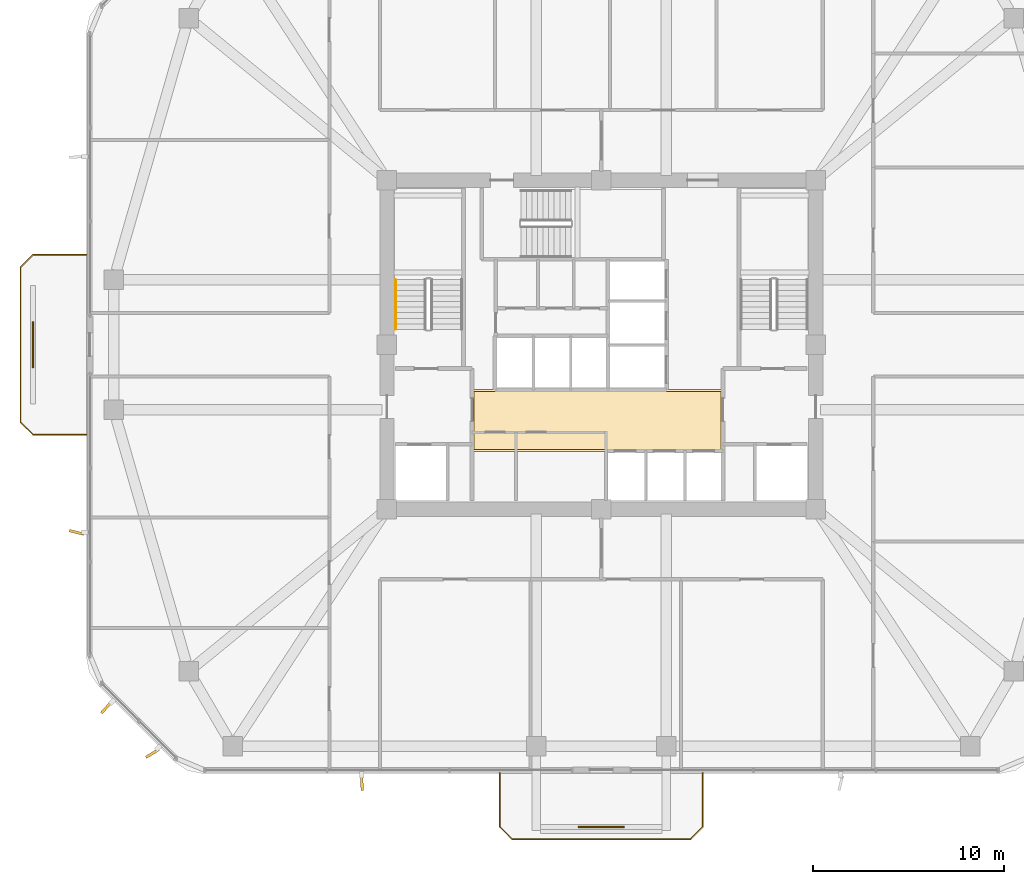
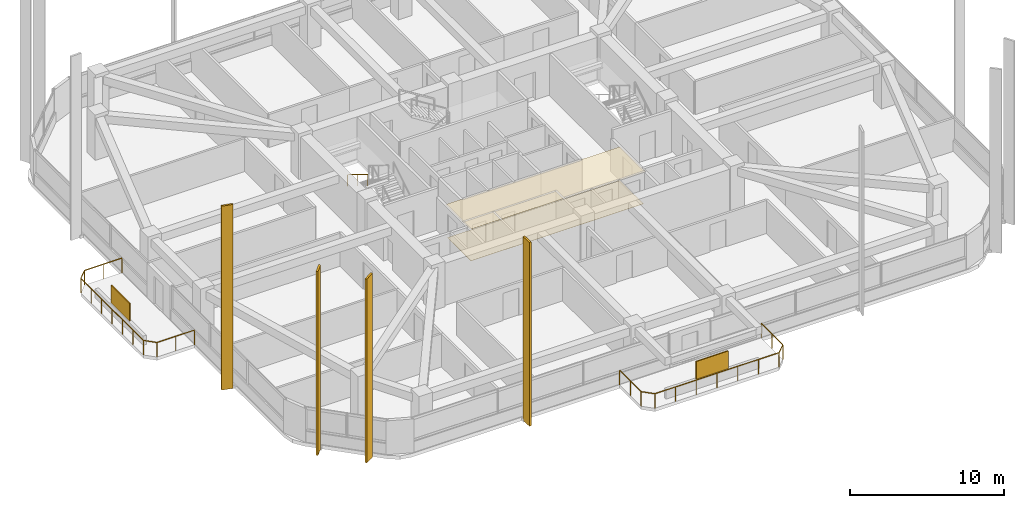
# One storey, part 12 of 15: 6 shading devices, 3 railings, 2 coverings.
"""IFC4 building model written with IfcOpenShell, lengths in metres."""

from ifc_helpers import new_model, si_unit, derived_unit, direction, frame, origin, origin_2d, place, context, subcontext, project, spatial, polyline, rectangle, outline, extrude, material, layer, layer_set, type_object, element, save


model = new_model("IFC4")

# Units and contexts
model_context = context("Model", 3, precision=1e-05, world=origin(), true_north=direction((0.0, 1.0)))
body_context = subcontext(model_context, "Body", "Model", "MODEL_VIEW")
ifc_project = project(units=[si_unit("LENGTHUNIT", "METRE"), si_unit("AREAUNIT", "SQUARE_METRE"), si_unit("VOLUMEUNIT", "CUBIC_METRE"), si_unit("PLANEANGLEUNIT", "RADIAN"), si_unit("MASSUNIT", "GRAM", prefix="KILO"), derived_unit("THERMALTRANSMITTANCEUNIT", [(si_unit("POWERUNIT", "WATT"), 1), (si_unit("LENGTHUNIT", "METRE"), -2), (si_unit("THERMODYNAMICTEMPERATUREUNIT", "KELVIN"), -1)])], contexts=[model_context])

# Site, building, storey
site_placement = place(None, origin())
site = spatial("IfcSite", under=ifc_project, at=site_placement, CompositionType="ELEMENT")
building_placement = place(site_placement, origin())
building = spatial("IfcBuilding", under=site, at=building_placement, Name="Koralith Skygarden Medical Center", CompositionType="ELEMENT")
storey_placement = place(building_placement, frame((0.0, 0.0, 84.780029296875)))
storey = spatial("IfcBuildingStorey", under=building, at=storey_placement, Name="L21", CompositionType="ELEMENT", Elevation=84.780029296875)

# Covering
ifc_material_1 = material(Name="Acoustic Mineral Tile")
ifc_layer_1 = layer(ifc_material_1, 0.02001953125)
ifc_layer_set_1 = layer_set([ifc_layer_1], Name="Acoustic Mineral Tile")
covering_type_1 = type_object("IfcCoveringType", Name="Acoustic Hygienic Mineral Ceiling 20", PredefinedType="CEILING", material=ifc_layer_set_1)
covering_1_placement = place(storey_placement, frame((0.0, 0.0, 2.5849609375)))
element("IfcCovering", 1, at=covering_1_placement, inside=storey, type_object=covering_type_1, Name="L21 Core Lobby Acoustic Ceiling", PredefinedType="CEILING", context=body_context, shape_type="SweptSolid", body=[
    extrude(outline(polyline([(30.25, 20.320068359375), (43.35009765625, 20.320068359375), (43.35009765625, 23.56005859375), (30.25, 23.56005859375), (30.25, 20.320068359375)])), origin(), (0.0, 0.0, 1.0), 0.02001953125),
])

# Shading devices
ifc_material_2 = material(Name="Aluminium 6063-T6", Category="aluminium")
shading_device_type_1 = type_object("IfcShadingDeviceType", Name="Limestone-Clad Solar Storm Fin 780", PredefinedType="USERDEFINED", material=ifc_material_2)
for number, where, z_axis, x_axis, name in (
    (2, (24.489990234375, 2.989990234375, -0.2001953125), (0.0, 0.0, 1.0), (0.044142481788, -0.999025245578, 0.0), "L21 S Harmonic Solar Storm Fin 1"),
    (3, (9.590087890625, 16.090087890625, -0.2001953125), (0.0, 0.0, 1.0), (-0.971271504235, 0.237974084853, 0.0), "L21 W Harmonic Solar Storm Fin 2"),
    (4, (11.139892578125, 6.93798828125, -0.2001953125), (0.0, 0.0, 1.0), (-0.675204077514, -0.737630973935, 0.0), "L21 SW Harmonic Solar Storm Fin 1"),
    (5, (13.5380859375, 4.5400390625, -0.2001953125), (0.0, 0.0, 1.0), (-0.855065756164, -0.518519577871, 0.0), "L21 SW Harmonic Solar Storm Fin 2"),
):
    element("IfcShadingDevice", number, at=place(storey_placement, frame(where, z_axis=z_axis, x_axis=x_axis)), inside=storey, type_object=shading_device_type_1, Name=name, ObjectType="SOLAR FIN", PredefinedType="USERDEFINED", context=body_context, shape_type="SweptSolid", body=[
        extrude(rectangle(XDim=0.780029296875, YDim=0.139892578125, at=origin_2d()), origin(), (0.0, 0.0, 1.0), 14.550048828125),
    ])

# Railings
ifc_material_3 = material(Name="Steel ASTM A500 Grade C", Category="steel")
railing_type_1 = type_object("IfcRailingType", Name="Outdoor Terrace & Balcony Safety Guardrail 1180", PredefinedType="GUARDRAIL", material=ifc_material_3)
railing_1_placement = place(storey_placement, frame((31.699951171875, 3.5, 0.0)))
element("IfcRailing", 6, at=railing_1_placement, inside=storey, type_object=railing_type_1, Name="L21 S Balcony Perimeter Guardrail", PredefinedType="GUARDRAIL", context=body_context, shape_type="SweptSolid", body=[
    extrude(rectangle(XDim=0.050048828125, YDim=0.050048828125, at=origin_2d()), frame((0.0, -0.001953125, 1.15478515625), z_axis=(0.0, -1.0, 0.0), x_axis=(1.0, 0.0, 0.0)), (0.0, 0.0, 1.0), 2.796142578125),
    extrude(rectangle(XDim=0.050048828125, YDim=0.050048828125, at=origin_2d()), frame((0.00146484375, -2.801513671875, 1.15478515625), z_axis=(0.707239558722, -0.706973978714, 0.0), x_axis=(0.706973978714, 0.707239558722, 0.0)), (0.0, 0.0, 1.0), 0.915283203125),
    extrude(rectangle(XDim=0.050048828125, YDim=0.050048828125, at=origin_2d()), frame((0.652099609375, -3.449951171875, 1.15478515625), z_axis=(1.0, 0.0, 0.0), x_axis=(0.0, 1.0, 0.0)), (0.0, 0.0, 1.0), 9.2958984375),
    extrude(rectangle(XDim=0.050048828125, YDim=0.050048828125, at=origin_2d()), frame((9.951416015625, -3.448486328125, 1.15478515625), z_axis=(0.707239558722, 0.706973978714, 0.0), x_axis=(-0.706973978714, 0.707239558722, 0.0)), (0.0, 0.0, 1.0), 0.915283203125),
    extrude(rectangle(XDim=0.050048828125, YDim=0.050048828125, at=origin_2d()), frame((10.60009765625, -2.798095703125, 1.15478515625), z_axis=(0.0, 1.0, 0.0), x_axis=(-1.0, 0.0, 0.0)), (0.0, 0.0, 1.0), 2.796142578125),
    extrude(rectangle(XDim=0.0419921875, YDim=0.0419921875, at=origin_2d()), origin(), (0.0, 0.0, 1.0), 1.1279296875),
    extrude(rectangle(XDim=0.0419921875, YDim=0.0419921875, at=origin_2d()), frame((0.0, -1.39990234375, 0.0)), (0.0, 0.0, 1.0), 1.1279296875),
    extrude(rectangle(XDim=0.0419921875, YDim=0.0419921875, at=origin_2d()), frame((0.0, -2.800048828125, 0.0)), (0.0, 0.0, 1.0), 1.1279296875),
    extrude(rectangle(XDim=0.0419921875, YDim=0.0419921875, at=origin_2d()), frame((0.650146484375, -3.449951171875, 0.0)), (0.0, 0.0, 1.0), 1.1279296875),
    extrude(rectangle(XDim=0.0419921875, YDim=0.0419921875, at=origin_2d()), frame((2.2001953125, -3.449951171875, 0.0)), (0.0, 0.0, 1.0), 1.1279296875),
    extrude(rectangle(XDim=0.0419921875, YDim=0.0419921875, at=origin_2d()), frame((3.75, -3.449951171875, 0.0)), (0.0, 0.0, 1.0), 1.1279296875),
    extrude(rectangle(XDim=0.0419921875, YDim=0.0419921875, at=origin_2d()), frame((5.300048828125, -3.449951171875, 0.0)), (0.0, 0.0, 1.0), 1.1279296875),
    extrude(rectangle(XDim=0.0419921875, YDim=0.0419921875, at=origin_2d()), frame((6.85009765625, -3.449951171875, 0.0)), (0.0, 0.0, 1.0), 1.1279296875),
    extrude(rectangle(XDim=0.0419921875, YDim=0.0419921875, at=origin_2d()), frame((8.39990234375, -3.449951171875, 0.0)), (0.0, 0.0, 1.0), 1.1279296875),
    extrude(rectangle(XDim=0.0419921875, YDim=0.0419921875, at=origin_2d()), frame((9.949951171875, -3.449951171875, 0.0)), (0.0, 0.0, 1.0), 1.1279296875),
    extrude(rectangle(XDim=0.0419921875, YDim=0.0419921875, at=origin_2d()), frame((10.60009765625, -2.800048828125, 0.0)), (0.0, 0.0, 1.0), 1.1279296875),
    extrude(rectangle(XDim=0.0419921875, YDim=0.0419921875, at=origin_2d()), frame((10.60009765625, -1.39990234375, 0.0)), (0.0, 0.0, 1.0), 1.1279296875),
    extrude(rectangle(XDim=0.0419921875, YDim=0.0419921875, at=origin_2d()), frame((10.60009765625, 0.0, 0.0)), (0.0, 0.0, 1.0), 1.1279296875),
])
railing_2_placement = place(storey_placement, frame((10.10009765625, 21.199951171875, 0.0)))
element("IfcRailing", 7, at=railing_2_placement, inside=storey, type_object=railing_type_1, Name="L21 W Balcony Perimeter Guardrail", PredefinedType="GUARDRAIL", context=body_context, shape_type="SweptSolid", body=[
    extrude(rectangle(XDim=0.050048828125, YDim=0.050048828125, at=origin_2d()), frame((-0.001953125, 0.0, 1.15478515625), z_axis=(-1.0, 0.0, 0.0), x_axis=(0.0, -1.0, 0.0)), (0.0, 0.0, 1.0), 2.796142578125),
    extrude(rectangle(XDim=0.050048828125, YDim=0.050048828125, at=origin_2d()), frame((-2.801513671875, 0.00146484375, 1.15478515625), z_axis=(-0.707106781187, 0.707106781187, 0.0), x_axis=(-0.707106781187, -0.707106781187, 0.0)), (0.0, 0.0, 1.0), 0.91552734375),
    extrude(rectangle(XDim=0.050048828125, YDim=0.050048828125, at=origin_2d()), frame((-3.4501953125, 0.652099609375, 1.15478515625), z_axis=(0.0, 1.0, 0.0), x_axis=(-1.0, 0.0, 0.0)), (0.0, 0.0, 1.0), 8.095947265625),
    extrude(rectangle(XDim=0.050048828125, YDim=0.050048828125, at=origin_2d()), frame((-3.44873046875, 8.75146484375, 1.15478515625), z_axis=(0.707106781187, 0.707106781187, 0.0), x_axis=(-0.707106781187, 0.707106781187, 0.0)), (0.0, 0.0, 1.0), 0.91552734375),
    extrude(rectangle(XDim=0.050048828125, YDim=0.050048828125, at=origin_2d()), frame((-2.798095703125, 9.400146484375, 1.15478515625), z_axis=(1.0, 0.0, 0.0), x_axis=(0.0, 1.0, 0.0)), (0.0, 0.0, 1.0), 2.796142578125),
    extrude(rectangle(XDim=0.0419921875, YDim=0.0419921875, at=origin_2d()), origin(), (0.0, 0.0, 1.0), 1.1279296875),
    extrude(rectangle(XDim=0.0419921875, YDim=0.0419921875, at=origin_2d()), frame((-1.39990234375, 0.0, 0.0)), (0.0, 0.0, 1.0), 1.1279296875),
    extrude(rectangle(XDim=0.0419921875, YDim=0.0419921875, at=origin_2d()), frame((-2.800048828125, 0.0, 0.0)), (0.0, 0.0, 1.0), 1.1279296875),
    extrude(rectangle(XDim=0.0419921875, YDim=0.0419921875, at=origin_2d()), frame((-3.4501953125, 0.650146484375, 0.0)), (0.0, 0.0, 1.0), 1.1279296875),
    extrude(rectangle(XDim=0.0419921875, YDim=0.0419921875, at=origin_2d()), frame((-3.4501953125, 2.0, 0.0)), (0.0, 0.0, 1.0), 1.1279296875),
    extrude(rectangle(XDim=0.0419921875, YDim=0.0419921875, at=origin_2d()), frame((-3.4501953125, 3.35009765625, 0.0)), (0.0, 0.0, 1.0), 1.1279296875),
    extrude(rectangle(XDim=0.0419921875, YDim=0.0419921875, at=origin_2d()), frame((-3.4501953125, 4.7001953125, 0.0)), (0.0, 0.0, 1.0), 1.1279296875),
    extrude(rectangle(XDim=0.0419921875, YDim=0.0419921875, at=origin_2d()), frame((-3.4501953125, 6.050048828125, 0.0)), (0.0, 0.0, 1.0), 1.1279296875),
    extrude(rectangle(XDim=0.0419921875, YDim=0.0419921875, at=origin_2d()), frame((-3.4501953125, 7.39990234375, 0.0)), (0.0, 0.0, 1.0), 1.1279296875),
    extrude(rectangle(XDim=0.0419921875, YDim=0.0419921875, at=origin_2d()), frame((-3.4501953125, 8.75, 0.0)), (0.0, 0.0, 1.0), 1.1279296875),
    extrude(rectangle(XDim=0.0419921875, YDim=0.0419921875, at=origin_2d()), frame((-2.800048828125, 9.400146484375, 0.0)), (0.0, 0.0, 1.0), 1.1279296875),
    extrude(rectangle(XDim=0.0419921875, YDim=0.0419921875, at=origin_2d()), frame((-1.39990234375, 9.400146484375, 0.0)), (0.0, 0.0, 1.0), 1.1279296875),
    extrude(rectangle(XDim=0.0419921875, YDim=0.0419921875, at=origin_2d()), frame((0.0, 9.400146484375, 0.0)), (0.0, 0.0, 1.0), 1.1279296875),
])

# Shading devices
ifc_layer_2 = layer(ifc_material_2, 0.080078125)
ifc_layer_set_2 = layer_set([ifc_layer_2], Name="Aluminium 6063-T6")
shading_device_type_2 = type_object("IfcShadingDeviceType", Name="Perforated Biophilic Balcony Trellis Screen", PredefinedType="USERDEFINED", material=ifc_layer_set_2)
for number, where, z_axis, x_axis, name in (
    (8, (37.0, 0.699951171875, 0.719970703125), (0.0, 0.0, 1.0), (1.0, 0.0, 0.0), "L21 S Biophilic Balcony Trellis Screen"),
    (9, (7.300048828125, 25.89990234375, 0.719970703125), (0.0, 0.0, 1.0), (0.0, 1.0, 0.0), "L21 W Biophilic Balcony Trellis Screen"),
):
    element("IfcShadingDevice", number, at=place(storey_placement, frame(where, z_axis=z_axis, x_axis=x_axis)), inside=storey, type_object=shading_device_type_2, Name=name, ObjectType="HURRICANE SCREEN", PredefinedType="USERDEFINED", context=body_context, shape_type="SweptSolid", body=[
        extrude(rectangle(XDim=2.39990234375, YDim=0.080078125, at=origin_2d()), origin(), (0.0, 0.0, 1.0), 1.39990234375),
    ])

# Covering
ifc_material_4 = material(Name="Medical Terrazzo Flooring")
ifc_layer_3 = layer(ifc_material_4, 0.014892578125)
ifc_layer_set_3 = layer_set([ifc_layer_3], Name="Medical Terrazzo Flooring")
covering_type_2 = type_object("IfcCoveringType", Name="Seamless Antimicrobial Terrazzo Flooring 15", PredefinedType="FLOORING", material=ifc_layer_set_3)
covering_2_placement = place(storey_placement, origin())
element("IfcCovering", 10, at=covering_2_placement, inside=storey, type_object=covering_type_2, Name="L21 Core Lobby Terrazzo Flooring", PredefinedType="FLOORING", context=body_context, shape_type="SweptSolid", body=[
    extrude(outline(polyline([(30.35009765625, 20.419921875), (43.25, 20.419921875), (43.25, 23.4599609375), (30.35009765625, 23.4599609375), (30.35009765625, 20.419921875)])), origin(), (0.0, 0.0, 1.0), 0.014892578125),
])

# Railing
railing_type_2 = type_object("IfcRailingType", Name="Stair Flight Tubular Handrail 920", PredefinedType="HANDRAIL", material=ifc_material_3)
railing_3_placement = place(storey_placement, frame((26.25, 29.31005859375, 1.97998046875)))
element("IfcRailing", 11, at=railing_3_placement, inside=storey, type_object=railing_type_2, Name="L21 ST1 stair handrail 2", PredefinedType="HANDRAIL", context=body_context, shape_type="SweptSolid", body=[
    extrude(rectangle(XDim=0.050048828125, YDim=0.050048828125, at=origin_2d()), frame((0.0, -0.001708984375, 0.89599609375), z_axis=(0.0, -0.849668407637, 0.527317358963), x_axis=(1.0, 0.0, 0.0)), (0.0, 0.0, 1.0), 3.06787109375),
    extrude(rectangle(XDim=0.0419921875, YDim=0.0419921875, at=origin_2d()), origin(), (0.0, 0.0, 1.0), 0.867919921875),
    extrude(rectangle(XDim=0.0419921875, YDim=0.0419921875, at=origin_2d()), frame((0.0, -1.30517578125, 0.81005859375)), (0.0, 0.0, 1.0), 0.867919921875),
    extrude(rectangle(XDim=0.0419921875, YDim=0.0419921875, at=origin_2d()), frame((0.0, -2.610107421875, 1.619873046875)), (0.0, 0.0, 1.0), 0.867919921875),
])

save(model, "model.ifc")
